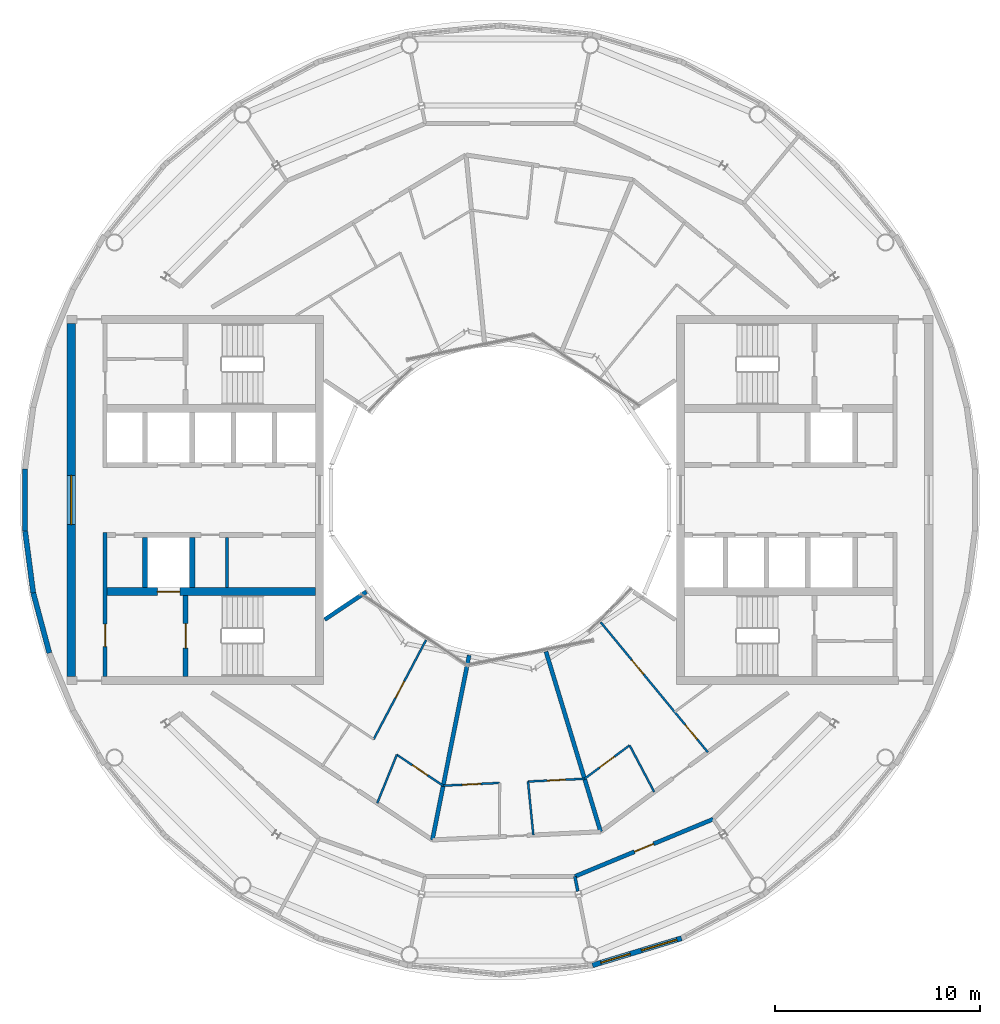
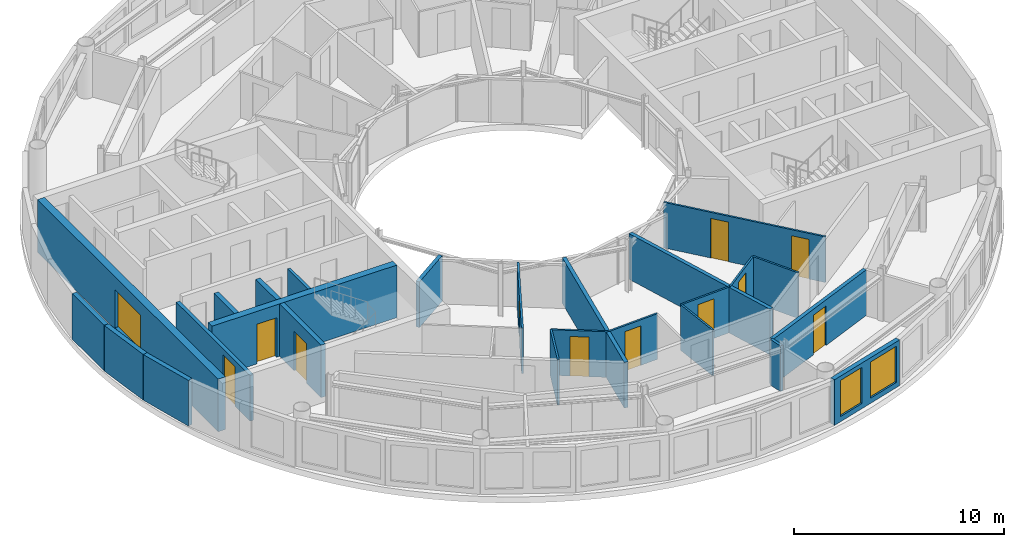
# One storey, part 9 of 17: 25 walls, 11 doors, 3 windows, 14 openings.
"""IFC4 building model written with IfcOpenShell, lengths in metres."""

from ifc_helpers import new_model, si_unit, direction, frame, frame_2d, origin, place, context, subcontext, project, spatial, rectangle, extrude, material, layer, layer_set, type_object, element, fill, save


model = new_model("IFC4")

# Units and contexts
model_context = context("Model", 3, precision=1e-05, world=origin(), true_north=direction((0.0, 1.0)))
body_context = subcontext(model_context, "Body", "Model", "MODEL_VIEW")
ifc_project = project(units=[si_unit("LENGTHUNIT", "METRE"), si_unit("AREAUNIT", "SQUARE_METRE"), si_unit("VOLUMEUNIT", "CUBIC_METRE"), si_unit("PLANEANGLEUNIT", "RADIAN"), si_unit("MASSUNIT", "GRAM", prefix="KILO")], contexts=[model_context])

# Site, building, storey
site_placement = place(None, origin())
site = spatial("IfcSite", under=ifc_project, at=site_placement, CompositionType="ELEMENT")
building_placement = place(site_placement, origin())
building = spatial("IfcBuilding", under=site, at=building_placement, Name="Maasbend Ring Residences", CompositionType="ELEMENT")
storey_placement = place(building_placement, frame((0.0, 0.0, 252.35009765625)))
storey = spatial("IfcBuildingStorey", under=building, at=storey_placement, Name="L73", CompositionType="ELEMENT", Elevation=252.35009765625)

# Wall, opening, door
ifc_material_1 = material(Name="Concrete C50/60", Category="concrete")
ifc_layer_1 = layer(ifc_material_1, 0.25)
ifc_layer_set_1 = layer_set([ifc_layer_1], Name="Concrete C50/60")
wall_type_1 = type_object("IfcWallType", Name="CORE WALL 250 C50/60", PredefinedType="SHEAR", material=ifc_layer_set_1)
wall_1_placement = place(storey_placement, frame((-15.324951171875, -4.64990234375, 0.0), z_axis=(0.0, 0.0, 1.0), x_axis=(0.0, -1.0, 0.0)))
wall_1 = element("IfcWall", 1, at=wall_1_placement, inside=storey, type_object=wall_type_1, Name="L73 core W wall STEN", PredefinedType="SHEAR", context=body_context, shape_type="SweptSolid", body=[
    extrude(rectangle(XDim=3.9501953125, YDim=0.25, at=frame_2d((1.97509765625, 0.0))), origin(), (0.0, 0.0, 1.0), 3.0498046875),
])
opening_1_placement = place(wall_1_placement, frame((1.375, 0.0, 0.0)))
opening_1 = element("IfcOpeningElement", 2, at=opening_1_placement, cuts=wall_1, Name="Opening D-W7310", PredefinedType="OPENING", context=body_context, shape_type="SweptSolid", body=[
    extrude(rectangle(XDim=1.199951171875, YDim=2.300048828125, at=frame_2d((0.60009765625, 1.14990234375))), frame((0.0, 0.135009765625, 0.0), z_axis=(0.0, -1.0, 0.0), x_axis=(1.0, 0.0, 0.0)), (0.0, 0.0, 1.0), 0.27001953125),
])
ifc_material_2 = material(Name="Steel, powder coated", Category="steel")
door_type_1 = type_object("IfcDoorType", Name="STAIR DOOR 1200 X 2300 FD60", OperationType="NOTDEFINED", PredefinedType="DOOR", material=ifc_material_2)
door_1_placement = place(opening_1_placement, origin())
door_1 = element("IfcDoor", 3, at=door_1_placement, inside=storey, type_object=door_type_1, Name="Stair door ST-W L73", OperationType="SINGLE_SWING_LEFT", OverallHeight=2.300048828125, OverallWidth=1.199951171875, PredefinedType="DOOR", context=body_context, shape_type="SweptSolid", body=[
    extrude(rectangle(XDim=1.199951171875, YDim=2.300048828125, at=frame_2d((0.60009765625, 1.14990234375))), frame((0.0, 0.02490234375, 0.0), z_axis=(0.0, -1.0, 0.0), x_axis=(1.0, 0.0, 0.0)), (0.0, 0.0, 1.0), 0.050048828125),
])
fill(opening_1, door_1)

ifc_material_3 = material(Name="Concrete C50/60", Category="concrete")
ifc_layer_2 = layer(ifc_material_3, 0.375)
ifc_layer_set_2 = layer_set([ifc_layer_2], Name="Concrete C50/60")
wall_type_2 = type_object("IfcWallType", Name="CORE WALL 375 C50/60", PredefinedType="SHEAR", material=ifc_layer_set_2)
wall_2_placement = place(storey_placement, frame((-9.0, -4.46240234375, 0.0), z_axis=(0.0, 0.0, 1.0), x_axis=(-1.0, 0.0, 0.0)))
wall_2 = element("IfcWall", 4, at=wall_2_placement, inside=storey, type_object=wall_type_2, Name="L73 core W wall BN", PredefinedType="SHEAR", context=body_context, shape_type="SweptSolid", body=[
    extrude(rectangle(XDim=10.14990234375, YDim=0.375, at=frame_2d((5.074951171875, 0.0))), origin(), (0.0, 0.0, 1.0), 3.0498046875),
])
opening_2_placement = place(wall_2_placement, frame((6.60009765625, 0.0, 0.0)))
opening_2 = element("IfcOpeningElement", 5, at=opening_2_placement, cuts=wall_2, Name="Opening LD-W7301", PredefinedType="OPENING", context=body_context, shape_type="SweptSolid", body=[
    extrude(rectangle(XDim=1.10009765625, YDim=2.300048828125, at=frame_2d((0.550048828125, 1.14990234375))), frame((0.0, 0.197509765625, 0.0), z_axis=(0.0, -1.0, 0.0), x_axis=(1.0, 0.0, 0.0)), (0.0, 0.0, 1.0), 0.39501953125),
])
ifc_material_4 = material(Name="Stainless steel 316", Category="steel")
door_type_2 = type_object("IfcDoorType", Name="LANDING DOOR 1100 X 2300 FD60", OperationType="DOUBLE_DOOR_SLIDING", PredefinedType="DOOR", material=ifc_material_4)
door_2_placement = place(opening_2_placement, origin())
door_2 = element("IfcDoor", 6, at=door_2_placement, inside=storey, type_object=door_type_2, Name="Landing door FF-W L73", OperationType="DOUBLE_DOOR_SLIDING", OverallHeight=2.300048828125, OverallWidth=1.10009765625, PredefinedType="DOOR", context=body_context, shape_type="SweptSolid", body=[
    extrude(rectangle(XDim=1.10009765625, YDim=2.300048828125, at=frame_2d((0.550048828125, 1.14990234375))), frame((0.0, 0.02490234375, 0.0), z_axis=(0.0, -1.0, 0.0), x_axis=(1.0, 0.0, 0.0)), (0.0, 0.0, 1.0), 0.050048828125),
])
fill(opening_2, door_2)

# Wall, opening, window
ifc_material_5 = material(Name="Concrete C50/60", Category="concrete")
ifc_layer_3 = layer(ifc_material_5, 0.39990234375)
ifc_layer_set_3 = layer_set([ifc_layer_3], Name="Concrete C50/60")
wall_type_3 = type_object("IfcWallType", Name="CORE WALL 400 C50/60", PredefinedType="SHEAR", material=ifc_layer_set_3)
wall_3_placement = place(storey_placement, frame((-20.89990234375, 8.60009765625, 0.0), z_axis=(0.0, 0.0, 1.0), x_axis=(0.0, -1.0, 0.0)))
wall_3 = element("IfcWall", 7, at=wall_3_placement, inside=storey, type_object=wall_type_3, Name="L73 core W wall POUT", PredefinedType="SHEAR", context=body_context, shape_type="SweptSolid", body=[
    extrude(rectangle(XDim=17.2001953125, YDim=0.39990234375, at=frame_2d((8.60009765625, 0.0))), origin(), (0.0, 0.0, 1.0), 3.0498046875),
])
opening_3_placement = place(wall_3_placement, frame((7.39990234375, 0.0, 0.10009765625)))
opening_3 = element("IfcOpeningElement", 8, at=opening_3_placement, cuts=wall_3, Name="Opening W-W7302", PredefinedType="OPENING", context=body_context, shape_type="SweptSolid", body=[
    extrude(rectangle(XDim=2.39990234375, YDim=2.199951171875, at=frame_2d((1.199951171875, 1.10009765625))), frame((0.0, 0.2099609375, 0.0), z_axis=(0.0, -1.0, 0.0), x_axis=(1.0, 0.0, 0.0)), (0.0, 0.0, 1.0), 0.419921875),
])
ifc_material_6 = material(Name="Aluminium frame and clear glass", Category="aluminium")
window_type_1 = type_object("IfcWindowType", Name="FIXED WINDOW 2400 X 2200", PartitioningType="SINGLE_PANEL", PredefinedType="WINDOW", material=ifc_material_6)
window_1_placement = place(opening_3_placement, origin())
window_1 = element("IfcWindow", 9, at=window_1_placement, inside=storey, type_object=window_type_1, Name="Lobby window L73", OverallHeight=2.199951171875, OverallWidth=2.39990234375, PartitioningType="SINGLE_PANEL", PredefinedType="WINDOW", context=body_context, shape_type="SweptSolid", body=[
    extrude(rectangle(XDim=2.39990234375, YDim=2.199951171875, at=frame_2d((1.199951171875, 1.10009765625))), frame((0.0, 0.030029296875, 0.0), z_axis=(0.0, -1.0, 0.0), x_axis=(1.0, 0.0, 0.0)), (0.0, 0.0, 1.0), 0.06005859375),
])
fill(opening_3, window_1)

# Wall, opening, door
ifc_material_7 = material(Name="Concrete C30/37", Category="concrete")
ifc_layer_4 = layer(ifc_material_7, 0.199951171875)
ifc_layer_set_4 = layer_set([ifc_layer_4], Name="Concrete C30/37")
wall_type_4 = type_object("IfcWallType", Name="CORRIDOR WALL 200 CONCRETE", PredefinedType="PARTITIONING", material=ifc_layer_set_4)
wall_4_placement = place(storey_placement, frame((3.64990234375, -18.35107421875, 0.0), z_axis=(0.0, 0.0, 1.0), x_axis=(0.923866436038, 0.382715048518, 0.0)))
wall_4 = element("IfcWall", 10, at=wall_4_placement, inside=storey, type_object=wall_type_4, Name="U-L73-w003", PredefinedType="PARTITIONING", context=body_context, shape_type="SweptSolid", body=[
    extrude(rectangle(XDim=7.301025390625, YDim=0.199951171875, at=frame_2d((3.650390625, 0.0))), origin(), (0.0, 0.0, 1.0), 2.64990234375),
])
opening_4_placement = place(wall_4_placement, frame((3.14990234375, 0.0, 0.0)))
opening_4 = element("IfcOpeningElement", 11, at=opening_4_placement, cuts=wall_4, Name="Opening D-7309", PredefinedType="OPENING", context=body_context, shape_type="SweptSolid", body=[
    extrude(rectangle(XDim=1.0, YDim=2.300048828125, at=frame_2d((0.5, 1.14990234375))), frame((0.0, 0.10986328125, 0.0), z_axis=(0.0, -1.0, 0.0), x_axis=(1.0, 0.0, 0.0)), (0.0, 0.0, 1.0), 0.219970703125),
])
ifc_material_8 = material(Name="Timber, painted", Category="wood")
door_type_3 = type_object("IfcDoorType", Name="ROOM DOOR 1000 X 2300", OperationType="NOTDEFINED", PredefinedType="DOOR", material=ifc_material_8)
door_3_placement = place(opening_4_placement, origin())
door_3 = element("IfcDoor", 12, at=door_3_placement, inside=storey, type_object=door_type_3, Name="D-7309", OperationType="SINGLE_SWING_LEFT", OverallHeight=2.300048828125, OverallWidth=1.0, PredefinedType="DOOR", context=body_context, shape_type="SweptSolid", body=[
    extrude(rectangle(XDim=1.0, YDim=2.300048828125, at=frame_2d((0.5, 1.14990234375))), frame((0.0, 0.02490234375, 0.0), z_axis=(0.0, -1.0, 0.0), x_axis=(1.0, 0.0, 0.0)), (0.0, 0.0, 1.0), 0.050048828125),
])
fill(opening_4, door_3)

# Wall, openings, windows
ifc_material_9 = material(Name="Aluminium clad insulated panel", Category="aluminium")
ifc_layer_5 = layer(ifc_material_9, 0.25)
ifc_layer_set_5 = layer_set([ifc_layer_5], Name="EW-GL")
wall_type_5 = type_object("IfcWallType", Name="EW-GL", PredefinedType="SOLIDWALL", material=ifc_layer_set_5)
wall_5_placement = place(storey_placement, frame((4.510986328125, -22.680908203125, 0.0), z_axis=(0.0, 0.0, 1.0), x_axis=(0.956960982965, 0.290216603735, 0.0)))
wall_5 = element("IfcWall", 13, at=wall_5_placement, inside=storey, type_object=wall_type_5, Name="External wall S07", PredefinedType="SOLIDWALL", context=body_context, shape_type="SweptSolid", body=[
    extrude(rectangle(XDim=4.5341796875, YDim=0.25, at=frame_2d((2.26708984375, 0.0))), origin(), (0.0, 0.0, 1.0), 2.64990234375),
])
opening_5_placement = place(wall_5_placement, frame((0.419921875, 0.0, 0.300048828125)))
opening_5 = element("IfcOpeningElement", 14, at=opening_5_placement, cuts=wall_5, Name="Opening W-BN", PredefinedType="OPENING", context=body_context, shape_type="SweptSolid", body=[
    extrude(rectangle(XDim=1.5, YDim=2.10009765625, at=frame_2d((0.75, 1.050048828125))), frame((0.0, 0.135009765625, 0.0), z_axis=(0.0, -1.0, 0.0), x_axis=(1.0, 0.0, 0.0)), (0.0, 0.0, 1.0), 0.27001953125),
])
opening_6_placement = place(wall_5_placement, frame((2.497314453125, 0.0, 0.300048828125)))
opening_6 = element("IfcOpeningElement", 15, at=opening_6_placement, cuts=wall_5, Name="Opening W-BX", PredefinedType="OPENING", context=body_context, shape_type="SweptSolid", body=[
    extrude(rectangle(XDim=1.800048828125, YDim=2.10009765625, at=frame_2d((0.89990234375, 1.050048828125))), frame((0.0, 0.135009765625, 0.0), z_axis=(0.0, -1.0, 0.0), x_axis=(1.0, 0.0, 0.0)), (0.0, 0.0, 1.0), 0.27001953125),
])
ifc_material_10 = material(Name="Aluminium and clear glass", Category="aluminium")
window_type_2 = type_object("IfcWindowType", Name="W-BN", PartitioningType="SINGLE_PANEL", PredefinedType="WINDOW", material=ifc_material_10)
window_2_placement = place(opening_5_placement, origin())
window_2 = element("IfcWindow", 16, at=window_2_placement, inside=storey, type_object=window_type_2, Name="Window S13", OverallHeight=2.10009765625, OverallWidth=1.5, PartitioningType="SINGLE_PANEL", PredefinedType="WINDOW", context=body_context, shape_type="SweptSolid", body=[
    extrude(rectangle(XDim=1.5, YDim=2.10009765625, at=frame_2d((0.75, 1.050048828125))), frame((0.0, 0.030029296875, 0.0), z_axis=(0.0, -1.0, 0.0), x_axis=(1.0, 0.0, 0.0)), (0.0, 0.0, 1.0), 0.06005859375),
])
fill(opening_5, window_2)
ifc_material_11 = material(Name="Aluminium and clear glass", Category="aluminium")
window_type_3 = type_object("IfcWindowType", Name="W-BX", PartitioningType="DOUBLE_PANEL_VERTICAL", PredefinedType="WINDOW", material=ifc_material_11)
window_3_placement = place(opening_6_placement, origin())
window_3 = element("IfcWindow", 17, at=window_3_placement, inside=storey, type_object=window_type_3, Name="Window S14", OverallHeight=2.10009765625, OverallWidth=1.800048828125, PartitioningType="SINGLE_PANEL", PredefinedType="WINDOW", context=body_context, shape_type="SweptSolid", body=[
    extrude(rectangle(XDim=1.800048828125, YDim=2.10009765625, at=frame_2d((0.89990234375, 1.050048828125))), frame((0.0, 0.030029296875, 0.0), z_axis=(0.0, -1.0, 0.0), x_axis=(1.0, 0.0, 0.0)), (0.0, 0.0, 1.0), 0.06005859375),
])
fill(opening_6, window_3)

# Walls
ifc_material_12 = material(Name="Louvred aluminium panel", Category="aluminium")
ifc_layer_6 = layer(ifc_material_12, 0.25)
ifc_layer_set_6 = layer_set([ifc_layer_6], Name="EW-LV")
wall_type_6 = type_object("IfcWallType", Name="EW-LV", PredefinedType="SOLIDWALL", material=ifc_layer_set_6)
wall_6_placement = place(storey_placement, frame((-23.14990234375, 1.51708984375, 0.0), z_axis=(0.0, 0.0, 1.0), x_axis=(0.0, -1.0, 0.0)))
element("IfcWall", 18, at=wall_6_placement, inside=storey, type_object=wall_type_6, Name="Horn wall 2.5", PredefinedType="SOLIDWALL", context=body_context, shape_type="SweptSolid", body=[
    extrude(rectangle(XDim=3.0341796875, YDim=0.25, at=frame_2d((1.51708984375, 0.0))), origin(), (0.0, 0.0, 1.0), 2.64990234375),
])
wall_7_placement = place(storey_placement, frame((-23.14990234375, -1.51708984375, 0.0), z_axis=(0.0, 0.0, 1.0), x_axis=(0.130487809173, -0.991449913842, 0.0)))
element("IfcWall", 19, at=wall_7_placement, inside=storey, type_object=wall_type_6, Name="Horn wall 2.6", PredefinedType="SOLIDWALL", context=body_context, shape_type="SweptSolid", body=[
    extrude(rectangle(XDim=3.03466796875, YDim=0.25, at=frame_2d((1.517333984375, 0.0))), origin(), (0.0, 0.0, 1.0), 2.64990234375),
])
wall_8_placement = place(storey_placement, frame((-22.75390625, -4.52587890625, 0.0), z_axis=(0.0, 0.0, 1.0), x_axis=(0.258669057101, -0.965966002972, 0.0)))
element("IfcWall", 20, at=wall_8_placement, inside=storey, type_object=wall_type_6, Name="Horn wall 2.7", PredefinedType="SOLIDWALL", context=body_context, shape_type="SweptSolid", body=[
    extrude(rectangle(XDim=3.034423828125, YDim=0.25, at=frame_2d((1.51708984375, 0.0))), origin(), (0.0, 0.0, 1.0), 2.64990234375),
])

# Wall, opening, door
ifc_material_13 = material(Name="Gypsum board on steel studs", Category="steel")
ifc_layer_7 = layer(ifc_material_13, 0.10009765625)
ifc_layer_set_7 = layer_set([ifc_layer_7], Name="PARTITION 100 GYPSUM")
wall_type_7 = type_object("IfcWallType", Name="PARTITION 100 GYPSUM", PredefinedType="PARTITIONING", material=ifc_layer_set_7)
wall_9_placement = place(storey_placement, frame((-2.77197265625, -13.927001953125, 0.0), z_axis=(0.0, 0.0, 1.0), x_axis=(0.998804891239, 0.048875241559, 0.0)))
wall_9 = element("IfcWall", 21, at=wall_9_placement, inside=storey, type_object=wall_type_7, Name="U-L73-w009", PredefinedType="PARTITIONING", context=body_context, shape_type="SweptSolid", body=[
    extrude(rectangle(XDim=2.762451171875, YDim=0.10009765625, at=frame_2d((1.38134765625, 0.0))), origin(), (0.0, 0.0, 1.0), 2.64990234375),
])
opening_7_placement = place(wall_9_placement, frame((0.930908203125, 0.0, 0.0)))
opening_7 = element("IfcOpeningElement", 22, at=opening_7_placement, cuts=wall_9, Name="Opening D-7328", PredefinedType="OPENING", context=body_context, shape_type="SweptSolid", body=[
    extrude(rectangle(XDim=0.89990234375, YDim=2.300048828125, at=frame_2d((0.449951171875, 1.14990234375))), frame((0.0, 0.06005859375, 0.0), z_axis=(0.0, -1.0, 0.0), x_axis=(1.0, 0.0, 0.0)), (0.0, 0.0, 1.0), 0.1201171875),
])
ifc_material_14 = material(Name="Timber, painted", Category="wood")
door_type_4 = type_object("IfcDoorType", Name="INTERNAL DOOR 900 X 2300", OperationType="NOTDEFINED", PredefinedType="DOOR", material=ifc_material_14)
door_4_placement = place(opening_7_placement, origin())
door_4 = element("IfcDoor", 23, at=door_4_placement, inside=storey, type_object=door_type_4, Name="D-7328", OperationType="SINGLE_SWING_LEFT", OverallHeight=2.300048828125, OverallWidth=0.89990234375, PredefinedType="DOOR", context=body_context, shape_type="SweptSolid", body=[
    extrude(rectangle(XDim=0.89990234375, YDim=2.300048828125, at=frame_2d((0.449951171875, 1.14990234375))), frame((0.0, 0.02490234375, 0.0), z_axis=(0.0, -1.0, 0.0), x_axis=(1.0, 0.0, 0.0)), (0.0, 0.0, 1.0), 0.050048828125),
])
fill(opening_7, door_4)

wall_10_placement = place(storey_placement, frame((1.364990234375, -13.72509765625, 0.0), z_axis=(0.0, 0.0, 1.0), x_axis=(0.99880320044, 0.048909782152, 0.0)))
wall_10 = element("IfcWall", 24, at=wall_10_placement, inside=storey, type_object=wall_type_7, Name="U-L73-w010", PredefinedType="PARTITIONING", context=body_context, shape_type="SweptSolid", body=[
    extrude(rectangle(XDim=2.760498046875, YDim=0.10009765625, at=frame_2d((1.38037109375, 0.0))), origin(), (0.0, 0.0, 1.0), 2.64990234375),
])
opening_8_placement = place(wall_10_placement, frame((0.929931640625, 0.0, 0.0)))
opening_8 = element("IfcOpeningElement", 25, at=opening_8_placement, cuts=wall_10, Name="Opening D-7329", PredefinedType="OPENING", context=body_context, shape_type="SweptSolid", body=[
    extrude(rectangle(XDim=0.89990234375, YDim=2.300048828125, at=frame_2d((0.449951171875, 1.14990234375))), frame((0.0, 0.06005859375, 0.0), z_axis=(0.0, -1.0, 0.0), x_axis=(1.0, 0.0, 0.0)), (0.0, 0.0, 1.0), 0.1201171875),
])
door_5_placement = place(opening_8_placement, origin())
door_5 = element("IfcDoor", 26, at=door_5_placement, inside=storey, type_object=door_type_4, Name="D-7329", OperationType="SINGLE_SWING_RIGHT", OverallHeight=2.300048828125, OverallWidth=0.89990234375, PredefinedType="DOOR", context=body_context, shape_type="SweptSolid", body=[
    extrude(rectangle(XDim=0.89990234375, YDim=2.300048828125, at=frame_2d((0.449951171875, 1.14990234375))), frame((0.0, 0.02490234375, 0.0), z_axis=(0.0, -1.0, 0.0), x_axis=(1.0, 0.0, 0.0)), (0.0, 0.0, 1.0), 0.050048828125),
])
fill(opening_8, door_5)

wall_11_placement = place(storey_placement, frame((4.12109375, -13.590087890625, 0.0), z_axis=(0.0, 0.0, 1.0), x_axis=(0.803096649891, 0.595848781935, 0.0)))
wall_11 = element("IfcWall", 27, at=wall_11_placement, inside=storey, type_object=wall_type_7, Name="U-L73-w011", PredefinedType="PARTITIONING", context=body_context, shape_type="SweptSolid", body=[
    extrude(rectangle(XDim=2.734130859375, YDim=0.10009765625, at=frame_2d((1.3671875, 0.0))), origin(), (0.0, 0.0, 1.0), 2.64990234375),
])
opening_9_placement = place(wall_11_placement, frame((0.9189453125, 0.0, 0.0)))
opening_9 = element("IfcOpeningElement", 28, at=opening_9_placement, cuts=wall_11, Name="Opening D-7331", PredefinedType="OPENING", context=body_context, shape_type="SweptSolid", body=[
    extrude(rectangle(XDim=0.89990234375, YDim=2.300048828125, at=frame_2d((0.449951171875, 1.14990234375))), frame((0.0, 0.06005859375, 0.0), z_axis=(0.0, -1.0, 0.0), x_axis=(1.0, 0.0, 0.0)), (0.0, 0.0, 1.0), 0.1201171875),
])
door_6_placement = place(opening_9_placement, origin())
door_6 = element("IfcDoor", 29, at=door_6_placement, inside=storey, type_object=door_type_4, Name="D-7331", OperationType="SINGLE_SWING_RIGHT", OverallHeight=2.300048828125, OverallWidth=0.89990234375, PredefinedType="DOOR", context=body_context, shape_type="SweptSolid", body=[
    extrude(rectangle(XDim=0.89990234375, YDim=2.300048828125, at=frame_2d((0.449951171875, 1.14990234375))), frame((0.0, 0.02490234375, 0.0), z_axis=(0.0, -1.0, 0.0), x_axis=(1.0, 0.0, 0.0)), (0.0, 0.0, 1.0), 0.050048828125),
])
fill(opening_9, door_6)

wall_12_placement = place(storey_placement, frame((-5.029052734375, -12.41796875, 0.0), z_axis=(0.0, 0.0, 1.0), x_axis=(0.831538390496, -0.555467285384, 0.0)))
wall_12 = element("IfcWall", 30, at=wall_12_placement, inside=storey, type_object=wall_type_7, Name="U-L73-w014", PredefinedType="PARTITIONING", context=body_context, shape_type="SweptSolid", body=[
    extrude(rectangle(XDim=2.716796875, YDim=0.10009765625, at=frame_2d((1.3583984375, 0.0))), origin(), (0.0, 0.0, 1.0), 2.64990234375),
])
opening_10_placement = place(wall_12_placement, frame((0.907958984375, 0.0, 0.0)))
opening_10 = element("IfcOpeningElement", 31, at=opening_10_placement, cuts=wall_12, Name="Opening D-7324", PredefinedType="OPENING", context=body_context, shape_type="SweptSolid", body=[
    extrude(rectangle(XDim=0.89990234375, YDim=2.300048828125, at=frame_2d((0.449951171875, 1.14990234375))), frame((0.0, 0.06005859375, 0.0), z_axis=(0.0, -1.0, 0.0), x_axis=(1.0, 0.0, 0.0)), (0.0, 0.0, 1.0), 0.1201171875),
])
door_7_placement = place(opening_10_placement, origin())
door_7 = element("IfcDoor", 32, at=door_7_placement, inside=storey, type_object=door_type_4, Name="D-7324", OperationType="SINGLE_SWING_LEFT", OverallHeight=2.300048828125, OverallWidth=0.89990234375, PredefinedType="DOOR", context=body_context, shape_type="SweptSolid", body=[
    extrude(rectangle(XDim=0.89990234375, YDim=2.300048828125, at=frame_2d((0.449951171875, 1.14990234375))), frame((0.0, 0.02490234375, 0.0), z_axis=(0.0, -1.0, 0.0), x_axis=(1.0, 0.0, 0.0)), (0.0, 0.0, 1.0), 0.050048828125),
])
fill(opening_10, door_7)

wall_13_placement = place(storey_placement, frame((-6.158935546875, -11.6630859375, 0.0), z_axis=(0.0, 0.0, 1.0), x_axis=(0.466976820365, 0.884269556889, 0.0)))
wall_13 = element("IfcWall", 33, at=wall_13_placement, inside=storey, type_object=wall_type_7, Name="U-L73-w025", PredefinedType="PARTITIONING", context=body_context, shape_type="SweptSolid", body=[
    extrude(rectangle(XDim=5.46923828125, YDim=0.10009765625, at=frame_2d((2.734619140625, 0.0))), origin(), (0.0, 0.0, 1.0), 2.64990234375),
])
opening_11_placement = place(wall_13_placement, frame((2.283935546875, 0.0, 0.0)))
opening_11 = element("IfcOpeningElement", 34, at=opening_11_placement, cuts=wall_13, Name="Opening D-7326", PredefinedType="OPENING", context=body_context, shape_type="SweptSolid", body=[
    extrude(rectangle(XDim=0.89990234375, YDim=2.300048828125, at=frame_2d((0.449951171875, 1.14990234375))), frame((0.0, 0.06005859375, 0.0), z_axis=(0.0, -1.0, 0.0), x_axis=(1.0, 0.0, 0.0)), (0.0, 0.0, 1.0), 0.1201171875),
])
door_8_placement = place(opening_11_placement, origin())
door_8 = element("IfcDoor", 35, at=door_8_placement, inside=storey, type_object=door_type_4, Name="D-7326", OperationType="SINGLE_SWING_LEFT", OverallHeight=2.300048828125, OverallWidth=0.89990234375, PredefinedType="DOOR", context=body_context, shape_type="SweptSolid", body=[
    extrude(rectangle(XDim=0.89990234375, YDim=2.300048828125, at=frame_2d((0.449951171875, 1.14990234375))), frame((0.0, 0.02490234375, 0.0), z_axis=(0.0, -1.0, 0.0), x_axis=(1.0, 0.0, 0.0)), (0.0, 0.0, 1.0), 0.050048828125),
])
fill(opening_11, door_8)

# Walls
wall_14_placement = place(storey_placement, frame((-5.986083984375, -14.779052734375, 0.0), z_axis=(0.0, 0.0, 1.0), x_axis=(0.375649498413, 0.926761811008, 0.0)))
element("IfcWall", 36, at=wall_14_placement, inside=storey, type_object=wall_type_7, Name="U-L73-w026", PredefinedType="PARTITIONING", context=body_context, shape_type="SweptSolid", body=[
    extrude(rectangle(XDim=2.547607421875, YDim=0.10009765625, at=frame_2d((1.27392578125, 0.0))), origin(), (0.0, 0.0, 1.0), 2.64990234375),
])
wall_15_placement = place(storey_placement, frame((1.364990234375, -13.72412109375, 0.0), z_axis=(0.0, 0.0, 1.0), x_axis=(0.099171803948, -0.995070325807, 0.0)))
element("IfcWall", 37, at=wall_15_placement, inside=storey, type_object=wall_type_7, Name="U-L73-w037", PredefinedType="PARTITIONING", context=body_context, shape_type="SweptSolid", body=[
    extrude(rectangle(XDim=2.621826171875, YDim=0.10009765625, at=frame_2d((1.31103515625, 0.0))), origin(), (0.0, 0.0, 1.0), 2.64990234375),
])

# Wall, openings, doors
wall_16_placement = place(storey_placement, frame((4.907958984375, -5.958984375, 0.0), z_axis=(0.0, 0.0, 1.0), x_axis=(0.636105207978, -0.771602335652, 0.0)))
wall_16 = element("IfcWall", 38, at=wall_16_placement, inside=storey, type_object=wall_type_7, Name="U-L73-w046", PredefinedType="PARTITIONING", context=body_context, shape_type="SweptSolid", body=[
    extrude(rectangle(XDim=8.212646484375, YDim=0.10009765625, at=frame_2d((4.1064453125, 0.0))), origin(), (0.0, 0.0, 1.0), 2.64990234375),
])
opening_12_placement = place(wall_16_placement, frame((6.489990234375, 0.0, 0.0)))
opening_12 = element("IfcOpeningElement", 39, at=opening_12_placement, cuts=wall_16, Name="Opening D-7332", PredefinedType="OPENING", context=body_context, shape_type="SweptSolid", body=[
    extrude(rectangle(XDim=0.89990234375, YDim=2.300048828125, at=frame_2d((0.449951171875, 1.14990234375))), frame((0.0, 0.06005859375, 0.0), z_axis=(0.0, -1.0, 0.0), x_axis=(1.0, 0.0, 0.0)), (0.0, 0.0, 1.0), 0.1201171875),
])
opening_13_placement = place(wall_16_placement, frame((2.384033203125, 0.0, 0.0)))
opening_13 = element("IfcOpeningElement", 40, at=opening_13_placement, cuts=wall_16, Name="Opening D-7333", PredefinedType="OPENING", context=body_context, shape_type="SweptSolid", body=[
    extrude(rectangle(XDim=0.89990234375, YDim=2.300048828125, at=frame_2d((0.449951171875, 1.14990234375))), frame((0.0, 0.06005859375, 0.0), z_axis=(0.0, -1.0, 0.0), x_axis=(1.0, 0.0, 0.0)), (0.0, 0.0, 1.0), 0.1201171875),
])
door_9_placement = place(opening_12_placement, origin())
door_9 = element("IfcDoor", 41, at=door_9_placement, inside=storey, type_object=door_type_4, Name="D-7332", OperationType="SINGLE_SWING_RIGHT", OverallHeight=2.300048828125, OverallWidth=0.89990234375, PredefinedType="DOOR", context=body_context, shape_type="SweptSolid", body=[
    extrude(rectangle(XDim=0.89990234375, YDim=2.300048828125, at=frame_2d((0.449951171875, 1.14990234375))), frame((0.0, 0.02490234375, 0.0), z_axis=(0.0, -1.0, 0.0), x_axis=(1.0, 0.0, 0.0)), (0.0, 0.0, 1.0), 0.050048828125),
])
fill(opening_12, door_9)
door_10_placement = place(opening_13_placement, origin())
door_10 = element("IfcDoor", 42, at=door_10_placement, inside=storey, type_object=door_type_4, Name="D-7333", OperationType="SINGLE_SWING_LEFT", OverallHeight=2.300048828125, OverallWidth=0.89990234375, PredefinedType="DOOR", context=body_context, shape_type="SweptSolid", body=[
    extrude(rectangle(XDim=0.89990234375, YDim=2.300048828125, at=frame_2d((0.449951171875, 1.14990234375))), frame((0.0, 0.02490234375, 0.0), z_axis=(0.0, -1.0, 0.0), x_axis=(1.0, 0.0, 0.0)), (0.0, 0.0, 1.0), 0.050048828125),
])
fill(opening_13, door_10)

# Walls
wall_17_placement = place(storey_placement, frame((6.318115234375, -11.9599609375, 0.0), z_axis=(0.0, 0.0, 1.0), x_axis=(0.467001992543, -0.884256263173, 0.0)))
element("IfcWall", 43, at=wall_17_placement, inside=storey, type_object=wall_type_7, Name="U-L73-w047", PredefinedType="PARTITIONING", context=body_context, shape_type="SweptSolid", body=[
    extrude(rectangle(XDim=2.571533203125, YDim=0.10009765625, at=frame_2d((1.28564453125, 0.0))), origin(), (0.0, 0.0, 1.0), 2.64990234375),
])
ifc_material_15 = material(Name="Gypsum board on steel studs", Category="steel")
ifc_layer_8 = layer(ifc_material_15, 0.14990234375)
ifc_layer_set_8 = layer_set([ifc_layer_8], Name="PARTITION 150 EI 60")
wall_type_8 = type_object("IfcWallType", Name="PARTITION 150 EI 60", PredefinedType="PARTITIONING", material=ifc_layer_set_8)
wall_18_placement = place(storey_placement, frame((-13.300048828125, -1.824951171875, 0.0), z_axis=(0.0, 0.0, 1.0), x_axis=(0.0, -1.0, 0.0)))
element("IfcWall", 44, at=wall_18_placement, inside=storey, type_object=wall_type_8, Name="L73 core W wall PRN1330", PredefinedType="PARTITIONING", context=body_context, shape_type="SweptSolid", body=[
    extrude(rectangle(XDim=2.449951171875, YDim=0.14990234375, at=frame_2d((1.22509765625, 0.0))), origin(), (0.0, 0.0, 1.0), 2.64990234375),
])
ifc_material_16 = material(Name="Gypsum board on steel studs", Category="steel")
ifc_layer_9 = layer(ifc_material_16, 0.14990234375)
ifc_layer_set_9 = layer_set([ifc_layer_9], Name="PARTITION 150 GYPSUM")
wall_type_9 = type_object("IfcWallType", Name="PARTITION 150 GYPSUM", PredefinedType="PARTITIONING", material=ifc_layer_set_9)
wall_19_placement = place(storey_placement, frame((3.64990234375, -18.35107421875, 0.0), z_axis=(0.0, 0.0, 1.0), x_axis=(0.194908923467, -0.98082134538, 0.0)))
element("IfcWall", 45, at=wall_19_placement, inside=storey, type_object=wall_type_9, Name="U-L73-w041", PredefinedType="PARTITIONING", context=body_context, shape_type="SweptSolid", body=[
    extrude(rectangle(XDim=0.739013671875, YDim=0.14990234375, at=frame_2d((0.36962890625, 0.0))), origin(), (0.0, 0.0, 1.0), 2.64990234375),
])
ifc_material_17 = material(Name="Concrete C30/37", Category="concrete")
ifc_layer_10 = layer(ifc_material_17, 0.199951171875)
ifc_layer_set_10 = layer_set([ifc_layer_10], Name="Concrete C30/37")
wall_type_10 = type_object("IfcWallType", Name="PARTY WALL 200 CONCRETE", PredefinedType="PARTITIONING", material=ifc_layer_set_10)
wall_20_placement = place(storey_placement, frame((-6.512939453125, -4.471923828125, 0.0), z_axis=(0.0, 0.0, 1.0), x_axis=(-0.831450132577, -0.555599385382, 0.0)))
element("IfcWall", 46, at=wall_20_placement, inside=storey, type_object=wall_type_10, Name="U-L73-w015", PredefinedType="PARTITIONING", context=body_context, shape_type="SweptSolid", body=[
    extrude(rectangle(XDim=2.442626953125, YDim=0.199951171875, at=frame_2d((1.22119140625, 0.0))), origin(), (0.0, 0.0, 1.0), 2.64990234375),
])
wall_21_placement = place(storey_placement, frame((-3.297119140625, -16.574951171875, 0.0), z_axis=(0.0, 0.0, 1.0), x_axis=(0.19524145691, 0.980755205698, 0.0)))
element("IfcWall", 47, at=wall_21_placement, inside=storey, type_object=wall_type_10, Name="U-L73-w033", PredefinedType="PARTITIONING", context=body_context, shape_type="SweptSolid", body=[
    extrude(rectangle(XDim=9.1796875, YDim=0.199951171875, at=frame_2d((4.58984375, 0.0))), origin(), (0.0, 0.0, 1.0), 2.64990234375),
])
wall_22_placement = place(storey_placement, frame((2.239990234375, -7.387939453125, 0.0), z_axis=(0.0, 0.0, 1.0), x_axis=(0.290420725025, -0.956899055531, 0.0)))
element("IfcWall", 48, at=wall_22_placement, inside=storey, type_object=wall_type_10, Name="U-L73-w038", PredefinedType="PARTITIONING", context=body_context, shape_type="SweptSolid", body=[
    extrude(rectangle(XDim=9.179931640625, YDim=0.199951171875, at=frame_2d((4.58984375, 0.0))), origin(), (0.0, 0.0, 1.0), 2.64990234375),
])

# Wall, opening, door
ifc_material_18 = material(Name="Concrete C30/37", Category="concrete")
ifc_layer_11 = layer(ifc_material_18, 0.199951171875)
ifc_layer_set_11 = layer_set([ifc_layer_11], Name="Concrete C30/37")
wall_type_11 = type_object("IfcWallType", Name="SHAFT WALL 200 EI 120", PredefinedType="SOLIDWALL", material=ifc_layer_set_11)
wall_23_placement = place(storey_placement, frame((-19.25, -1.574951171875, 0.0), z_axis=(0.0, 0.0, 1.0), x_axis=(0.0, -1.0, 0.0)))
wall_23 = element("IfcWall", 49, at=wall_23_placement, inside=storey, type_object=wall_type_11, Name="L73 core W wall ENDN", PredefinedType="SOLIDWALL", context=body_context, shape_type="SweptSolid", body=[
    extrude(rectangle(XDim=7.025146484375, YDim=0.199951171875, at=frame_2d((3.5126953125, 0.0))), origin(), (0.0, 0.0, 1.0), 2.64990234375),
])
opening_14_placement = place(wall_23_placement, frame((4.47509765625, 0.0, 0.0)))
opening_14 = element("IfcOpeningElement", 50, at=opening_14_placement, cuts=wall_23, Name="Opening D-W7312", PredefinedType="OPENING", context=body_context, shape_type="SweptSolid", body=[
    extrude(rectangle(XDim=1.10009765625, YDim=2.300048828125, at=frame_2d((0.550048828125, 1.14990234375))), frame((0.0, 0.10986328125, 0.0), z_axis=(0.0, -1.0, 0.0), x_axis=(1.0, 0.0, 0.0)), (0.0, 0.0, 1.0), 0.219970703125),
])
ifc_material_19 = material(Name="Steel, powder coated", Category="steel")
door_type_5 = type_object("IfcDoorType", Name="LOBBY DOOR 1100 X 2300 FD60", OperationType="NOTDEFINED", PredefinedType="DOOR", material=ifc_material_19)
door_11_placement = place(opening_14_placement, origin())
door_11 = element("IfcDoor", 51, at=door_11_placement, inside=storey, type_object=door_type_5, Name="Lobby door L73", OperationType="SINGLE_SWING_LEFT", OverallHeight=2.300048828125, OverallWidth=1.10009765625, PredefinedType="DOOR", context=body_context, shape_type="SweptSolid", body=[
    extrude(rectangle(XDim=1.10009765625, YDim=2.300048828125, at=frame_2d((0.550048828125, 1.14990234375))), frame((0.0, 0.02490234375, 0.0), z_axis=(0.0, -1.0, 0.0), x_axis=(1.0, 0.0, 0.0)), (0.0, 0.0, 1.0), 0.050048828125),
])
fill(opening_14, door_11)

# Walls
ifc_material_20 = material(Name="Concrete C30/37", Category="concrete")
ifc_layer_12 = layer(ifc_material_20, 0.25)
ifc_layer_set_12 = layer_set([ifc_layer_12], Name="Concrete C30/37")
wall_type_12 = type_object("IfcWallType", Name="SHAFT WALL 250 EI 120", PredefinedType="SOLIDWALL", material=ifc_layer_set_12)
for number, where, z_axis, x_axis, name in (
    (52, (-15.0, -1.824951171875, 0.0), (0.0, 0.0, 1.0), (0.0, -1.0, 0.0), "L73 core W wall D150N"),
    (53, (-17.300048828125, -1.824951171875, 0.0), (0.0, 0.0, 1.0), (0.0, -1.0, 0.0), "L73 core W wall D173N"),
):
    element("IfcWall", number, at=place(storey_placement, frame(where, z_axis=z_axis, x_axis=x_axis)), inside=storey, type_object=wall_type_12, Name=name, PredefinedType="SOLIDWALL", context=body_context, shape_type="SweptSolid", body=[
        extrude(rectangle(XDim=2.449951171875, YDim=0.25, at=frame_2d((1.22509765625, 0.0))), origin(), (0.0, 0.0, 1.0), 2.64990234375),
    ])

save(model, "model.ifc")
